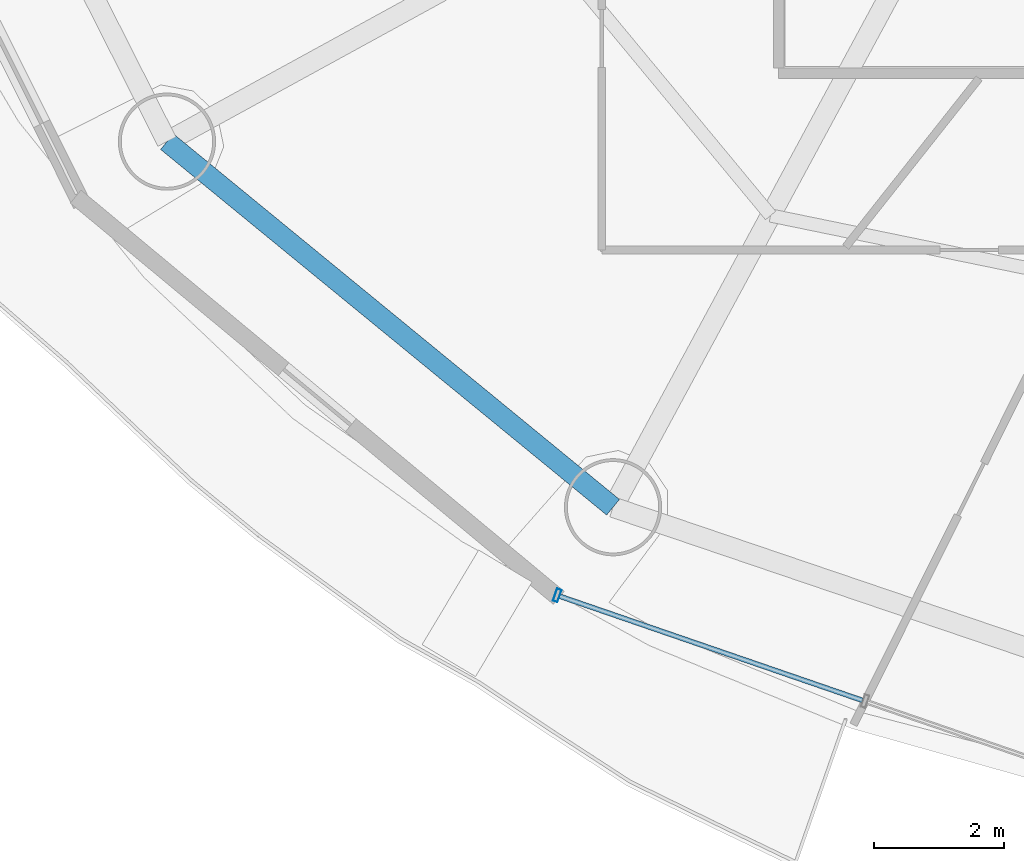
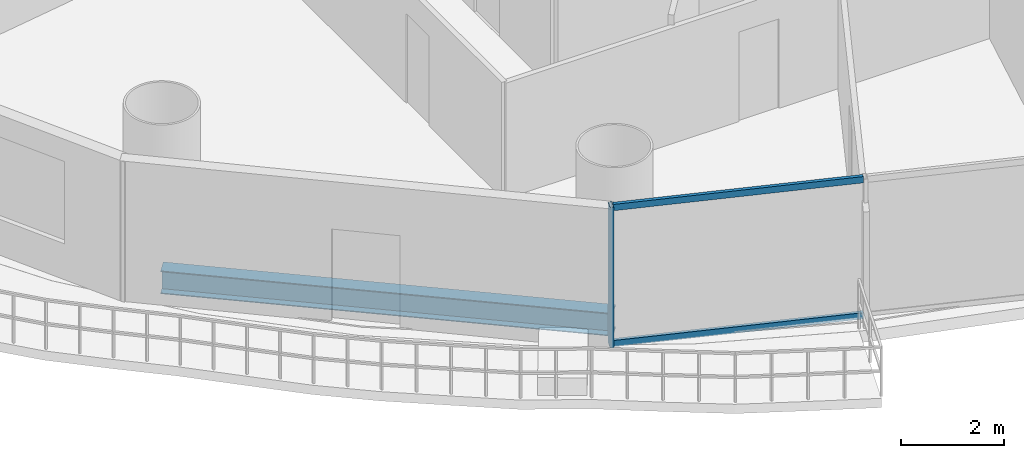
# One storey, part 2 of 29: 3 members, 1 beam, 1 element without a shape of its own.
"""IFC4 building model written with IfcOpenShell, lengths in metres."""

from ifc_helpers import new_model, si_unit, direction, frame, origin, origin_2d, place, context, subcontext, project, spatial, hollow_rectangle, i_section, extrude, source, transform, mapped, material, material_profile, profile_set, type_object, element, aggregate, save


model = new_model("IFC4")

# Units and contexts
model_context = context("Model", 3, precision=1e-05, world=origin(), true_north=direction((-0.2419218956, 0.970295726276)))
body_context = subcontext(model_context, "Body", "Model", "MODEL_VIEW")
ifc_project = project(units=[si_unit("LENGTHUNIT", "METRE"), si_unit("AREAUNIT", "SQUARE_METRE"), si_unit("VOLUMEUNIT", "CUBIC_METRE"), si_unit("PLANEANGLEUNIT", "RADIAN"), si_unit("MASSUNIT", "GRAM", prefix="KILO")], contexts=[model_context])

# Site, building, storey
site_placement = place(None, origin())
site = spatial("IfcSite", under=ifc_project, at=site_placement, CompositionType="ELEMENT")
building_placement = place(site_placement, origin())
building = spatial("IfcBuilding", under=site, at=building_placement, Name="Cobrevalo Terracotta Tower", CompositionType="ELEMENT")
storey_placement = place(building_placement, frame((0.0, 0.0, 83.39990234375)))
storey = spatial("IfcBuildingStorey", under=building, at=storey_placement, Name="L21", CompositionType="ELEMENT", Elevation=83.39990234375)

# Beam
ifc_material_1 = material(Name="Steel S355", Category="steel")
ifc_material_profile_1 = material_profile(ifc_material_1, i_section(OverallWidth=0.31201171875, OverallDepth=0.54296875, WebThickness=0.0126953125, FlangeThickness=0.020263671875, at=origin_2d()), Name="W 530x150")
ifc_profile_set_1 = profile_set([ifc_material_profile_1], Name="Steel S355")
beam_type = type_object("IfcBeamType", Name="Structural Spandrel W 530x150 (Steel S355)", PredefinedType="SPANDREL", material=ifc_profile_set_1)
beam_placement = place(storey_placement, frame((17.2548828125, 15.4384765625, -0.54638671875), z_axis=(0.773400923541, -0.633917196064, 0.0), x_axis=(0.633917196064, 0.773400923541, 0.0)))
element("IfcBeam", 1, at=beam_placement, inside=storey, type_object=beam_type, Name="L21 perimeter ring spandrel 10", PredefinedType="SPANDREL", context=body_context, shape_type="SweptSolid", body=[
    extrude(i_section(OverallWidth=0.31201171875, OverallDepth=0.54296875, WebThickness=0.0126953125, FlangeThickness=0.020263671875, at=origin_2d()), origin(), (0.0, 0.0, 1.0), 8.900390625),
])

# Curtain wall, members
ifc_material_2 = material(Name="Anodized aluminium", Category="aluminium")
curtain_wall_type = type_object("IfcCurtainWallType", Name="Lower-tower unitised acoustic low-E curtain wall CW-U1", PredefinedType="NOTDEFINED", material=ifc_material_2)
curtain_wall_placement = place(storey_placement, origin())
curtain_wall = element("IfcCurtainWall", 2, at=curtain_wall_placement, inside=storey, type_object=curtain_wall_type, Name="L21 curtain wall CW-L21-S11", PredefinedType="NOTDEFINED")
ifc_material_profile_2 = material_profile(ifc_material_2, hollow_rectangle(XDim=0.074951171875, YDim=0.14990234375, WallThickness=0.00439453125, at=origin_2d()), Name="CWT 75x150")
ifc_profile_set_2 = profile_set([ifc_material_profile_2], Name="Anodized aluminium")
member_type_1 = type_object("IfcMemberType", Name="Tower unitised aluminium transom 75x150", PredefinedType="USERDEFINED", material=ifc_profile_set_2)
shared_shape_1 = source(origin(), body_context, "Body", "SweptSolid", [
    extrude(hollow_rectangle(XDim=0.074951171875, YDim=0.14990234375, WallThickness=0.00439453125, at=origin_2d()), origin(), (0.0, 0.0, 1.0), 4.944580078125),
])
member_1_placement = place(storey_placement, frame((23.314208984375, 8.42333984375, 0.050048828125), z_axis=(0.945597859971, -0.32533780478, 0.0), x_axis=(0.32533780478, 0.945597859971, 0.0)))
member_1 = element("IfcMember", 3, at=member_1_placement, type_object=member_type_1, Name="CW-L21-S11 transom B01-T1", ObjectType="TRANSOM", PredefinedType="USERDEFINED", context=body_context, shape_type="MappedRepresentation", body=[
    mapped(shared_shape_1, transform((0.0, 0.0, 0.0), scale=1.0)),
])
member_2_placement = place(storey_placement, frame((23.314208984375, 8.42333984375, 3.275146484375), z_axis=(0.945597859971, -0.32533780478, 0.0), x_axis=(0.32533780478, 0.945597859971, 0.0)))
member_2 = element("IfcMember", 4, at=member_2_placement, type_object=member_type_1, Name="CW-L21-S11 transom B01-T2", ObjectType="TRANSOM", PredefinedType="USERDEFINED", context=body_context, shape_type="MappedRepresentation", body=[
    mapped(shared_shape_1, transform((0.0, 0.0, 0.0), scale=1.0)),
])
ifc_material_profile_3 = material_profile(ifc_material_2, hollow_rectangle(XDim=0.074951171875, YDim=0.199951171875, WallThickness=0.0048828125, at=origin_2d()), Name="CWM 75x200")
ifc_profile_set_3 = profile_set([ifc_material_profile_3], Name="Anodized aluminium")
member_type_2 = type_object("IfcMemberType", Name="Lower/mid tower unitised mullion 75x200", PredefinedType="MULLION", material=ifc_profile_set_3)
shared_shape_2 = source(origin(), body_context, "Body", "SweptSolid", [
    extrude(hollow_rectangle(XDim=0.074951171875, YDim=0.199951171875, WallThickness=0.0048828125, at=origin_2d()), origin(), (0.0, 0.0, 1.0), 3.3251953125),
])
member_3_placement = place(storey_placement, frame((23.2763671875, 8.4365234375, 0.0), z_axis=(0.0, 0.0, 1.0), x_axis=(0.94559809868, -0.325337110968, 0.0)))
member_3 = element("IfcMember", 5, at=member_3_placement, type_object=member_type_2, Name="CW-L21-S11 vertical mullion 01", PredefinedType="MULLION", context=body_context, shape_type="MappedRepresentation", body=[
    mapped(shared_shape_2, transform((0.0, 0.0, 0.0), scale=1.0)),
])
aggregate(curtain_wall, [member_3, member_1, member_2])

save(model, "model.ifc")
